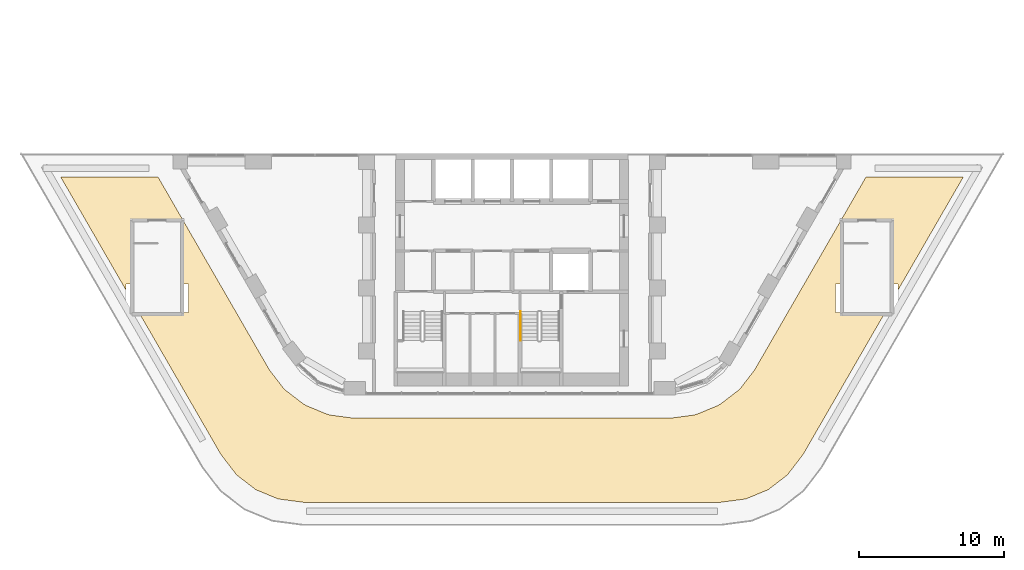
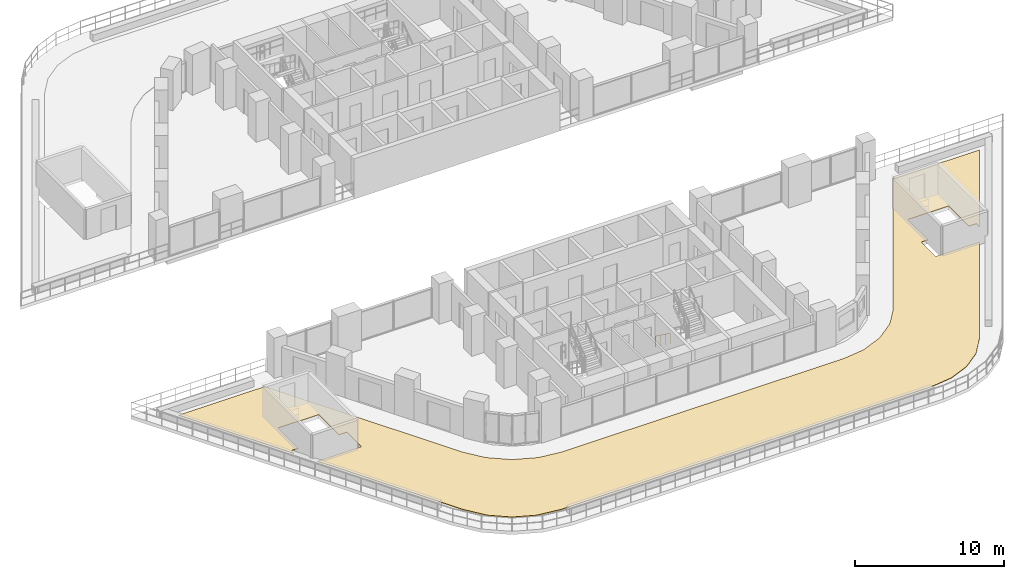
# One storey, part 18 of 24: 1 covering, 1 railing.
"""IFC4 building model written with IfcOpenShell, lengths in metres."""

from ifc_helpers import new_model, si_unit, direction, frame, origin, origin_2d, place, context, subcontext, project, spatial, polyline, circle, outline, extrude, material, layer, layer_set, type_object, element, save


model = new_model("IFC4")

# Units and contexts
model_context = context("Model", 3, precision=1e-05, world=origin(), true_north=direction((0.0, 1.0)))
body_context = subcontext(model_context, "Body", "Model", "MODEL_VIEW")
ifc_project = project(units=[si_unit("LENGTHUNIT", "METRE"), si_unit("AREAUNIT", "SQUARE_METRE"), si_unit("VOLUMEUNIT", "CUBIC_METRE"), si_unit("PLANEANGLEUNIT", "RADIAN"), si_unit("MASSUNIT", "GRAM", prefix="KILO")], contexts=[model_context])

# Site, building, storey
site_placement = place(None, origin())
site = spatial("IfcSite", under=ifc_project, at=site_placement, CompositionType="ELEMENT")
building_placement = place(site_placement, origin())
building = spatial("IfcBuilding", under=site, at=building_placement, Name="Nakaniwa Court", CompositionType="ELEMENT")
storey_placement = place(building_placement, frame((0.0, 0.0, 28.199951171875)))
storey = spatial("IfcBuildingStorey", under=building, at=storey_placement, Name="L06", CompositionType="ELEMENT", Elevation=28.199951171875)

# Covering
ifc_material_1 = material(Name="Black rubber play surfacing")
ifc_layer_1 = layer(ifc_material_1, 0.025, Name="Wet-pour surface")
ifc_material_2 = material(Name="Recycled rubber shock pad")
ifc_layer_2 = layer(ifc_material_2, 0.015, Name="Shock pad")
ifc_layer_set = layer_set([ifc_layer_1, ifc_layer_2], Name="Black rubber play surfacing")
covering_type = type_object("IfcCoveringType", Name="Play surfacing", PredefinedType="FLOORING", material=ifc_layer_set)
covering_placement = place(storey_placement, origin())
element("IfcCovering", 1, at=covering_placement, inside=storey, type_object=covering_type, Name="L06 play deck 1 play surfacing", PredefinedType="FLOORING", context=body_context, shape_type="SweptSolid", body=[
    extrude(outline(polyline([(98.949462890625, 50.484130859375), (97.626953125, 49.469482421875), (96.086669921875, 48.831298828125), (94.328857421875, 48.60009765625), (65.671142578125, 48.60009765625), (63.913330078125, 48.831298828125), (62.373046875, 49.469482421875), (61.050537109375, 50.484130859375), (59.97119140625, 51.890869140625), (54.322265625, 61.675048828125), (57.72509765625, 61.675048828125), (57.72509765625, 63.625), (57.125, 63.625), (57.125, 66.360107421875), (53.97509765625, 66.360107421875), (53.97509765625, 63.625), (53.425048828125, 63.625), (53.425048828125, 63.229248046875), (48.9384765625, 71.0), (55.6357421875, 71.0), (63.2568359375, 57.800048828125), (63.373046875, 57.6259765625), (64.199462890625, 56.549072265625), (64.289306640625, 56.442138671875), (64.387939453125, 56.34326171875), (64.494873046875, 56.253662109375), (65.57177734375, 55.42724609375), (65.68603515625, 55.34716796875), (65.80712890625, 55.277587890625), (65.93359375, 55.218505859375), (67.187744140625, 54.698974609375), (67.31884765625, 54.6513671875), (67.45361328125, 54.615234375), (67.591064453125, 54.5908203125), (68.93701171875, 54.41357421875), (69.145751953125, 54.39990234375), (90.854248046875, 54.39990234375), (91.06298828125, 54.41357421875), (92.408935546875, 54.5908203125), (92.54638671875, 54.615234375), (92.68115234375, 54.6513671875), (92.812255859375, 54.698974609375), (94.06640625, 55.218505859375), (94.19287109375, 55.277587890625), (94.31396484375, 55.34716796875), (94.42822265625, 55.42724609375), (95.505126953125, 56.253662109375), (95.612060546875, 56.34326171875), (95.710693359375, 56.442138671875), (95.800537109375, 56.549072265625), (96.626953125, 57.6259765625), (96.7431640625, 57.800048828125), (104.3642578125, 71.0), (111.0615234375, 71.0), (106.574951171875, 63.229248046875), (106.574951171875, 63.625), (105.97509765625, 63.625), (105.97509765625, 66.360107421875), (102.824951171875, 66.360107421875), (102.824951171875, 63.625), (102.27490234375, 63.625), (102.27490234375, 61.675048828125), (105.677734375, 61.675048828125), (100.02880859375, 51.890869140625), (98.949462890625, 50.484130859375)])), origin(), (0.0, 0.0, 1.0), 0.0400390625),
])

# Railing
ifc_material_3 = material(Name="Black powder coated steel handrail", Category="steel")
railing_type = type_object("IfcRailingType", Name="Stair handrail 900", PredefinedType="HANDRAIL", material=ifc_material_3)
railing_placement = place(storey_placement, frame((80.574951171875, 61.72509765625, 0.183349609375)))
element("IfcRailing", 2, at=railing_placement, inside=storey, type_object=railing_type, Name="L06 ST4 stair handrail 1", PredefinedType="HANDRAIL", context=body_context, shape_type="SweptSolid", body=[
    extrude(circle(Radius=0.02392578125, at=origin_2d()), frame((0.0, 0.0, 0.8759765625), z_axis=(0.0, -0.806379959628, 0.591397802423), x_axis=(1.0, 0.0, 0.0)), (0.0, 0.0, 1.0), 2.480224609375),
    extrude(circle(Radius=0.02099609375, at=origin_2d()), origin(), (0.0, 0.0, 1.0), 0.851806640625),
    extrude(circle(Radius=0.02099609375, at=origin_2d()), frame((0.0, -0.666748046875, 0.489013671875)), (0.0, 0.0, 1.0), 0.851806640625),
    extrude(circle(Radius=0.02099609375, at=origin_2d()), frame((0.0, -1.333251953125, 0.977783203125)), (0.0, 0.0, 1.0), 0.851806640625),
    extrude(circle(Radius=0.02099609375, at=origin_2d()), frame((0.0, -2.0, 1.466796875)), (0.0, 0.0, 1.0), 0.851806640625),
])

save(model, "model.ifc")
